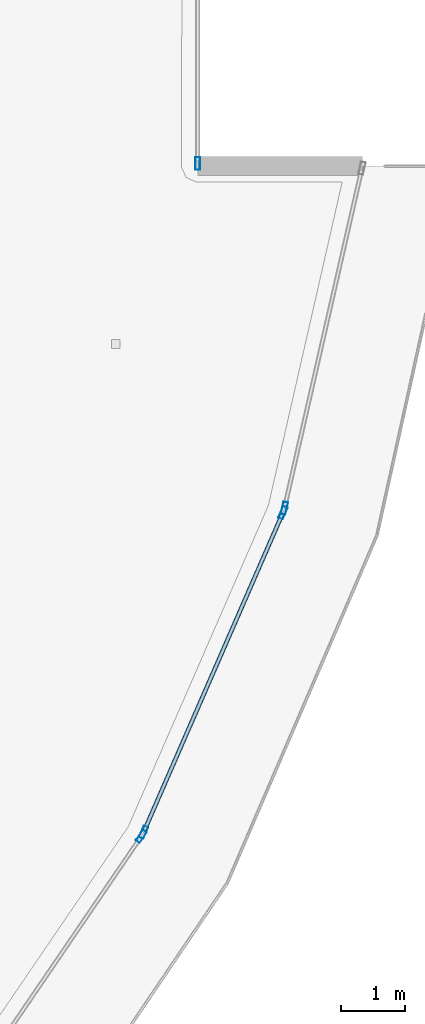
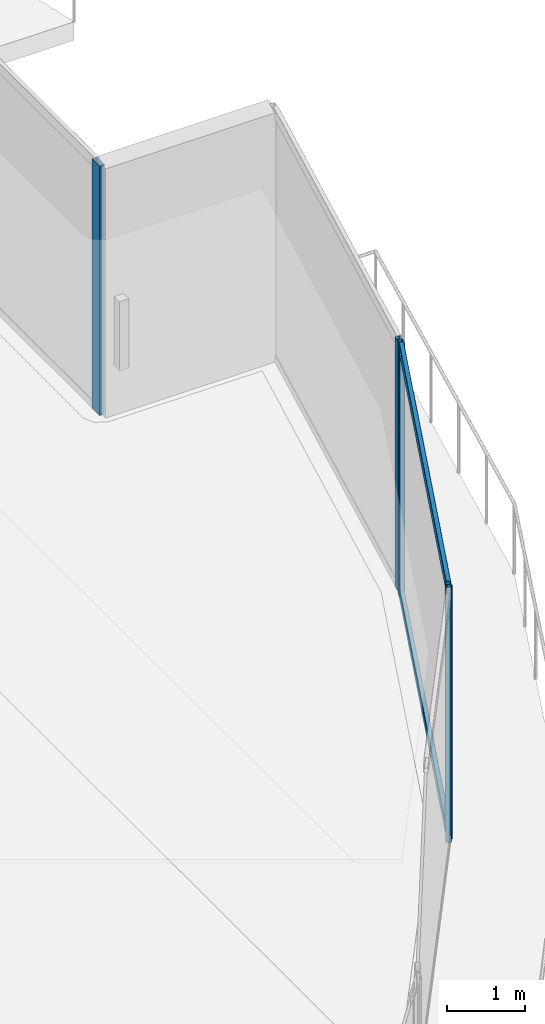
# One storey, part 12 of 31: 7 members, 4 elements without a shape of their own.
"""IFC4 building model written with IfcOpenShell, lengths in metres."""

from ifc_helpers import new_model, si_unit, direction, frame, origin, origin_2d, place, context, subcontext, project, spatial, hollow_rectangle, extrude, material, layer, layer_set, material_profile, profile_set, type_object, element, aggregate, save


model = new_model("IFC4")

# Units and contexts
model_context = context("Model", 3, precision=1e-05, world=origin(), true_north=direction((0.0, 1.0)))
body_context = subcontext(model_context, "Body", "Model", "MODEL_VIEW")
ifc_project = project(units=[si_unit("LENGTHUNIT", "METRE"), si_unit("AREAUNIT", "SQUARE_METRE"), si_unit("VOLUMEUNIT", "CUBIC_METRE"), si_unit("PLANEANGLEUNIT", "RADIAN"), si_unit("MASSUNIT", "GRAM", prefix="KILO")], contexts=[model_context])

# Site, building, storey
site_placement = place(None, origin())
site = spatial("IfcSite", under=ifc_project, at=site_placement, CompositionType="ELEMENT")
building_placement = place(site_placement, origin())
building = spatial("IfcBuilding", under=site, at=building_placement, Name="Qorvath Tower", CompositionType="ELEMENT")
storey_placement = place(building_placement, frame((0.0, 0.0, 264.0)))
storey = spatial("IfcBuildingStorey", under=building, at=storey_placement, Name="L61", CompositionType="ELEMENT", Elevation=264.0)

# Curtain wall, member
ifc_material_1 = material(Name="Anodised aluminium and triple low-E glass", Category="aluminium")
ifc_layer = layer(ifc_material_1, 0.179931640625)
ifc_layer_set = layer_set([ifc_layer], Name="CW-SYS-4")
curtain_wall_type = type_object("IfcCurtainWallType", Name="CW-SYS-4", PredefinedType="NOTDEFINED", material=ifc_layer_set)
curtain_wall_1_placement = place(storey_placement, origin())
curtain_wall_1 = element("IfcCurtainWall", 1, at=curtain_wall_1_placement, inside=storey, type_object=curtain_wall_type, Name="Curtain Wall CW-4 CW-T-L61-5.1", PredefinedType="NOTDEFINED")
ifc_material_2 = material(Name="Anodised aluminium 6063-T6", Category="aluminium")
ifc_material_profile_1 = material_profile(ifc_material_2, hollow_rectangle(XDim=0.074951171875, YDim=0.199951171875, WallThickness=0.00390625, InnerFilletRadius=0.00390625, OuterFilletRadius=0.008056640625, at=origin_2d()), Name="CWM 200x75")
ifc_profile_set_1 = profile_set([ifc_material_profile_1], Name="Anodised aluminium 6063-T6")
member_type_1 = type_object("IfcMemberType", Name="CWM-200", PredefinedType="MULLION", material=ifc_profile_set_1)
member_1_placement = place(storey_placement, frame((-4.93310546875, -14.375732421875, 0.0), z_axis=(0.0, 0.0, 1.0), x_axis=(-0.826358006639, 0.563145136589, 0.0)))
member_1 = element("IfcMember", 2, at=member_1_placement, type_object=member_type_1, Name="CW-4 mullion 2", PredefinedType="MULLION", context=body_context, shape_type="SweptSolid", body=[
    extrude(hollow_rectangle(XDim=0.074951171875, YDim=0.199951171875, WallThickness=0.00390625, InnerFilletRadius=0.00390625, OuterFilletRadius=0.008056640625, at=origin_2d()), origin(), (0.0, 0.0, 1.0), 3.909912109375),
])
aggregate(curtain_wall_1, [member_1])

# Curtain wall, members
curtain_wall_2_placement = place(storey_placement, origin())
curtain_wall_2 = element("IfcCurtainWall", 3, at=curtain_wall_2_placement, inside=storey, type_object=curtain_wall_type, Name="Curtain Wall CW-4 CW-T-L61-6.1", PredefinedType="NOTDEFINED")
member_2_placement = place(storey_placement, frame((-4.89697265625, -14.310302734375, 0.0), z_axis=(0.0, 0.0, 1.0), x_axis=(-0.916612312055, 0.399777274729, 0.0)))
member_2 = element("IfcMember", 4, at=member_2_placement, type_object=member_type_1, Name="CW-4 mullion 1", PredefinedType="MULLION", context=body_context, shape_type="SweptSolid", body=[
    extrude(hollow_rectangle(XDim=0.074951171875, YDim=0.199951171875, WallThickness=0.00390625, InnerFilletRadius=0.00390625, OuterFilletRadius=0.008056640625, at=origin_2d()), origin(), (0.0, 0.0, 1.0), 3.909912109375),
])
member_3_placement = place(storey_placement, frame((-2.71337890625, -9.30419921875, 0.0), z_axis=(0.0, 0.0, 1.0), x_axis=(-0.916612312055, 0.399777274729, 0.0)))
member_3 = element("IfcMember", 5, at=member_3_placement, type_object=member_type_1, Name="CW-4 mullion 2", PredefinedType="MULLION", context=body_context, shape_type="SweptSolid", body=[
    extrude(hollow_rectangle(XDim=0.074951171875, YDim=0.199951171875, WallThickness=0.00390625, InnerFilletRadius=0.00390625, OuterFilletRadius=0.008056640625, at=origin_2d()), origin(), (0.0, 0.0, 1.0), 3.909912109375),
])

# Curtain wall, member
curtain_wall_3_placement = place(storey_placement, origin())
curtain_wall_3 = element("IfcCurtainWall", 6, at=curtain_wall_3_placement, inside=storey, type_object=curtain_wall_type, Name="Curtain Wall CW-4 CW-T-L61-7.1", PredefinedType="NOTDEFINED")
member_4_placement = place(storey_placement, frame((-2.690185546875, -9.233154296875, 0.0), z_axis=(0.0, 0.0, 1.0), x_axis=(-0.97494194825, 0.22245942898, 0.0)))
member_4 = element("IfcMember", 7, at=member_4_placement, type_object=member_type_1, Name="CW-4 mullion 1", PredefinedType="MULLION", context=body_context, shape_type="SweptSolid", body=[
    extrude(hollow_rectangle(XDim=0.074951171875, YDim=0.199951171875, WallThickness=0.00390625, InnerFilletRadius=0.00390625, OuterFilletRadius=0.008056640625, at=origin_2d()), origin(), (0.0, 0.0, 1.0), 3.909912109375),
])
aggregate(curtain_wall_3, [member_4])

curtain_wall_4_placement = place(storey_placement, origin())
curtain_wall_4 = element("IfcCurtainWall", 8, at=curtain_wall_4_placement, inside=storey, type_object=curtain_wall_type, Name="Curtain Wall CW-4 CW-T-L61-9.1", PredefinedType="NOTDEFINED")
member_5_placement = place(storey_placement, frame((-4.0478515625, -3.834228515625, 0.0), z_axis=(0.0, 0.0, 1.0), x_axis=(-1.0, 0.0, 0.0)))
member_5 = element("IfcMember", 9, at=member_5_placement, type_object=member_type_1, Name="CW-4 mullion 1", PredefinedType="MULLION", context=body_context, shape_type="SweptSolid", body=[
    extrude(hollow_rectangle(XDim=0.074951171875, YDim=0.199951171875, WallThickness=0.00390625, InnerFilletRadius=0.00390625, OuterFilletRadius=0.008056640625, at=origin_2d()), origin(), (0.0, 0.0, 1.0), 3.909912109375),
])
aggregate(curtain_wall_4, [member_5])

# Member
ifc_material_3 = material(Name="Anodised aluminium 6063-T6", Category="aluminium")
ifc_material_profile_2 = material_profile(ifc_material_3, hollow_rectangle(XDim=0.06494140625, YDim=0.159912109375, WallThickness=0.00341796875, InnerFilletRadius=0.00341796875, OuterFilletRadius=0.007080078125, at=origin_2d()), Name="CWT 160x65")
ifc_profile_set_2 = profile_set([ifc_material_profile_2], Name="Anodised aluminium 6063-T6")
member_type_2 = type_object("IfcMemberType", Name="CWT-160", PredefinedType="USERDEFINED", material=ifc_profile_set_2)
member_6_placement = place(storey_placement, frame((-4.8818359375, -14.27587890625, 0.032470703125), z_axis=(0.399769994455, 0.916615487286, 0.0), x_axis=(-0.916615487286, 0.399769994455, 0.0)))
member_6 = element("IfcMember", 10, at=member_6_placement, type_object=member_type_2, Name="CW-4 transom 1.1", ObjectType="TRANSOM", PredefinedType="USERDEFINED", context=body_context, shape_type="SweptSolid", body=[
    extrude(hollow_rectangle(XDim=0.06494140625, YDim=0.159912109375, WallThickness=0.00341796875, InnerFilletRadius=0.00341796875, OuterFilletRadius=0.007080078125, at=origin_2d()), origin(), (0.0, 0.0, 1.0), 5.386474609375),
])

member_7_placement = place(storey_placement, frame((-4.8818359375, -14.27587890625, 3.87744140625), z_axis=(0.399769994455, 0.916615487286, 0.0), x_axis=(-0.916615487286, 0.399769994455, 0.0)))
member_7 = element("IfcMember", 11, at=member_7_placement, type_object=member_type_2, Name="CW-4 transom 1.2", ObjectType="TRANSOM", PredefinedType="USERDEFINED", context=body_context, shape_type="SweptSolid", body=[
    extrude(hollow_rectangle(XDim=0.06494140625, YDim=0.159912109375, WallThickness=0.00341796875, InnerFilletRadius=0.00341796875, OuterFilletRadius=0.007080078125, at=origin_2d()), origin(), (0.0, 0.0, 1.0), 5.386474609375),
])

aggregate(curtain_wall_2, [member_2, member_3, member_6, member_7])

save(model, "model.ifc")
